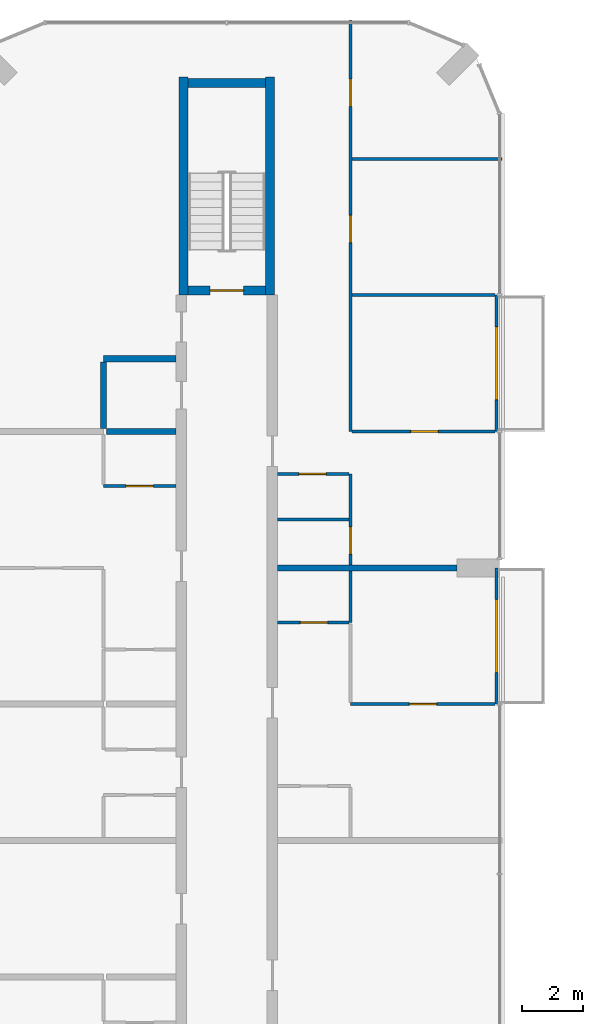
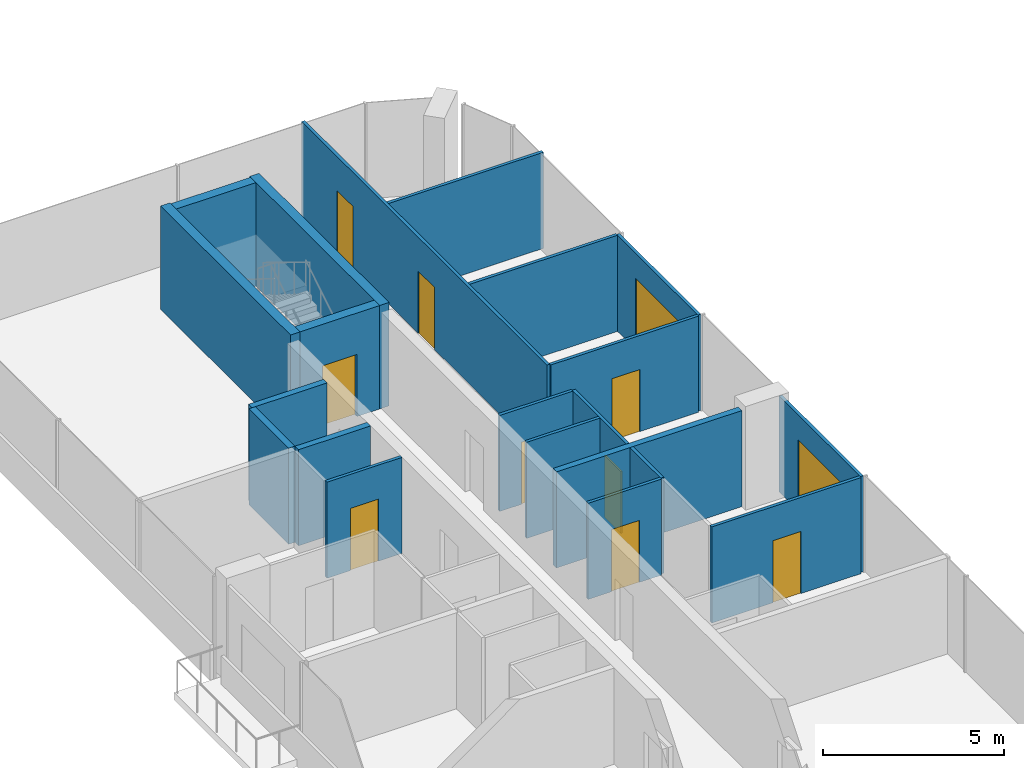
# One storey, part 16 of 22: 21 walls, 11 doors, 11 openings.
"""IFC4 building model written with IfcOpenShell, lengths in metres."""

from ifc_helpers import new_model, si_unit, direction, frame, frame_2d, origin, place, context, subcontext, project, spatial, rectangle, extrude, material, layer, layer_set, type_object, element, fill, save


model = new_model("IFC4")

# Units and contexts
model_context = context("Model", 3, precision=1e-05, world=origin(), true_north=direction((0.0, 1.0)))
body_context = subcontext(model_context, "Body", "Model", "MODEL_VIEW")
ifc_project = project(units=[si_unit("LENGTHUNIT", "METRE"), si_unit("AREAUNIT", "SQUARE_METRE"), si_unit("VOLUMEUNIT", "CUBIC_METRE"), si_unit("PLANEANGLEUNIT", "RADIAN"), si_unit("MASSUNIT", "GRAM", prefix="KILO")], contexts=[model_context])

# Site, building, storey
site_placement = place(None, origin())
site = spatial("IfcSite", under=ifc_project, at=site_placement, CompositionType="ELEMENT")
building_placement = place(site_placement, origin())
building = spatial("IfcBuilding", under=site, at=building_placement, Name="Plateau Cross Towers", CompositionType="ELEMENT")
storey_placement = place(building_placement, frame((0.0, 0.0, 65.300048828125)))
storey = spatial("IfcBuildingStorey", under=building, at=storey_placement, Name="L16", CompositionType="ELEMENT", Elevation=65.300048828125)

# Wall, opening, door
ifc_material_1 = material(Name="Aluminium framed glazing", Category="aluminium")
ifc_layer_1 = layer(ifc_material_1, 0.10009765625)
ifc_layer_set_1 = layer_set([ifc_layer_1], Name="Aluminium framed glazing")
wall_type_1 = type_object("IfcWallType", Name="Balcony screen wall 100", PredefinedType="STANDARD", material=ifc_layer_set_1)
wall_1_placement = place(storey_placement, frame((17.89990234375, 36.0, 0.0), z_axis=(0.0, 0.0, 1.0), x_axis=(0.0, -1.0, 0.0)))
wall_1 = element("IfcWall", 1, at=wall_1_placement, inside=storey, type_object=wall_type_1, Name="Balcony screen wall A-BAL-L16-02", PredefinedType="STANDARD", context=body_context, shape_type="SweptSolid", body=[
    extrude(rectangle(XDim=4.5, YDim=0.10009765625, at=frame_2d((2.25, 0.0))), origin(), (0.0, 0.0, 1.0), 3.25),
])
opening_1_placement = place(wall_1_placement, frame((1.050048828125, 0.0, 0.0)))
opening_1 = element("IfcOpeningElement", 2, at=opening_1_placement, cuts=wall_1, Name="Opening D-B24", PredefinedType="OPENING", context=body_context, shape_type="SweptSolid", body=[
    extrude(rectangle(XDim=2.39990234375, YDim=2.39990234375, at=frame_2d((1.199951171875, 1.199951171875))), frame((0.0, 0.06005859375, 0.0), z_axis=(0.0, -1.0, 0.0), x_axis=(1.0, 0.0, 0.0)), (0.0, 0.0, 1.0), 0.1201171875),
])
ifc_material_2 = material(Name="Aluminium frame, double glazing", Category="aluminium")
door_type_1 = type_object("IfcDoorType", Name="Balcony sliding door 2400", OperationType="NOTDEFINED", PredefinedType="DOOR", material=ifc_material_2)
door_1_placement = place(opening_1_placement, origin())
door_1 = element("IfcDoor", 3, at=door_1_placement, inside=storey, type_object=door_type_1, Name="Balcony door A-BAL-L16-02", OperationType="SINGLE_SWING_LEFT", OverallHeight=2.39990234375, OverallWidth=2.39990234375, PredefinedType="DOOR", context=body_context, shape_type="SweptSolid", body=[
    extrude(rectangle(XDim=2.39990234375, YDim=2.39990234375, at=frame_2d((1.199951171875, 1.199951171875))), frame((0.0, 0.02490234375, 0.0), z_axis=(0.0, -1.0, 0.0), x_axis=(1.0, 0.0, 0.0)), (0.0, 0.0, 1.0), 0.050048828125),
])
fill(opening_1, door_1)

wall_2_placement = place(storey_placement, frame((17.89990234375, 45.0, 0.0), z_axis=(0.0, 0.0, 1.0), x_axis=(0.0, -1.0, 0.0)))
wall_2 = element("IfcWall", 4, at=wall_2_placement, inside=storey, type_object=wall_type_1, Name="Balcony screen wall A-BAL-L16-03", PredefinedType="STANDARD", context=body_context, shape_type="SweptSolid", body=[
    extrude(rectangle(XDim=4.5, YDim=0.10009765625, at=frame_2d((2.25, 0.0))), origin(), (0.0, 0.0, 1.0), 3.25),
])
opening_2_placement = place(wall_2_placement, frame((1.050048828125, 0.0, 0.0)))
opening_2 = element("IfcOpeningElement", 5, at=opening_2_placement, cuts=wall_2, Name="Opening D-B24", PredefinedType="OPENING", context=body_context, shape_type="SweptSolid", body=[
    extrude(rectangle(XDim=2.39990234375, YDim=2.39990234375, at=frame_2d((1.199951171875, 1.199951171875))), frame((0.0, 0.06005859375, 0.0), z_axis=(0.0, -1.0, 0.0), x_axis=(1.0, 0.0, 0.0)), (0.0, 0.0, 1.0), 0.1201171875),
])
door_2_placement = place(opening_2_placement, origin())
door_2 = element("IfcDoor", 6, at=door_2_placement, inside=storey, type_object=door_type_1, Name="Balcony door A-BAL-L16-03", OperationType="SINGLE_SWING_LEFT", OverallHeight=2.39990234375, OverallWidth=2.39990234375, PredefinedType="DOOR", context=body_context, shape_type="SweptSolid", body=[
    extrude(rectangle(XDim=2.39990234375, YDim=2.39990234375, at=frame_2d((1.199951171875, 1.199951171875))), frame((0.0, 0.02490234375, 0.0), z_axis=(0.0, -1.0, 0.0), x_axis=(1.0, 0.0, 0.0)), (0.0, 0.0, 1.0), 0.050048828125),
])
fill(opening_2, door_2)

ifc_material_3 = material(Name="Gypsum board on steel studs", Category="steel")
ifc_layer_2 = layer(ifc_material_3, 0.10009765625)
ifc_layer_set_2 = layer_set([ifc_layer_2], Name="Gypsum board on steel studs")
wall_type_2 = type_object("IfcWallType", Name="Flat partition 100", PredefinedType="PARTITIONING", material=ifc_layer_set_2)
wall_3_placement = place(storey_placement, frame((13.074951171875, 31.5, 0.0), z_axis=(0.0, 0.0, 1.0), x_axis=(1.0, 0.0, 0.0)))
wall_3 = element("IfcWall", 7, at=wall_3_placement, inside=storey, type_object=wall_type_2, Name="Partition wall", PredefinedType="PARTITIONING", context=body_context, shape_type="SweptSolid", body=[
    extrude(rectangle(XDim=4.775146484375, YDim=0.10009765625, at=frame_2d((2.3876953125, 0.0))), origin(), (0.0, 0.0, 1.0), 3.25),
])
opening_3_placement = place(wall_3_placement, frame((1.949951171875, 0.0, 0.0)))
opening_3 = element("IfcOpeningElement", 8, at=opening_3_placement, cuts=wall_3, Name="Opening 16-38", PredefinedType="OPENING", context=body_context, shape_type="SweptSolid", body=[
    extrude(rectangle(XDim=0.89990234375, YDim=2.10009765625, at=frame_2d((0.449951171875, 1.050048828125))), frame((0.0, 0.06005859375, 0.0), z_axis=(0.0, -1.0, 0.0), x_axis=(1.0, 0.0, 0.0)), (0.0, 0.0, 1.0), 0.1201171875),
])
ifc_material_4 = material(Name="Timber leaf", Category="wood")
door_type_2 = type_object("IfcDoorType", Name="Flat room door 900", OperationType="NOTDEFINED", PredefinedType="DOOR", material=ifc_material_4)
door_3_placement = place(opening_3_placement, origin())
door_3 = element("IfcDoor", 9, at=door_3_placement, inside=storey, type_object=door_type_2, Name="Door 16-38", OperationType="SINGLE_SWING_RIGHT", OverallHeight=2.10009765625, OverallWidth=0.89990234375, PredefinedType="DOOR", context=body_context, shape_type="SweptSolid", body=[
    extrude(rectangle(XDim=0.89990234375, YDim=2.10009765625, at=frame_2d((0.449951171875, 1.050048828125))), frame((0.0, 0.02490234375, 0.0), z_axis=(0.0, -1.0, 0.0), x_axis=(1.0, 0.0, 0.0)), (0.0, 0.0, 1.0), 0.050048828125),
])
fill(opening_3, door_3)

wall_4_placement = place(storey_placement, frame((10.675048828125, 34.199951171875, 0.0), z_axis=(0.0, 0.0, 1.0), x_axis=(1.0, 0.0, 0.0)))
wall_4 = element("IfcWall", 10, at=wall_4_placement, inside=storey, type_object=wall_type_2, Name="Partition wall", PredefinedType="PARTITIONING", context=body_context, shape_type="SweptSolid", body=[
    extrude(rectangle(XDim=2.349853515625, YDim=0.10009765625, at=frame_2d((1.1748046875, 0.0))), origin(), (0.0, 0.0, 1.0), 3.25),
])
opening_4_placement = place(wall_4_placement, frame((0.75, 0.0, 0.0)))
opening_4 = element("IfcOpeningElement", 11, at=opening_4_placement, cuts=wall_4, Name="Opening 16-37", PredefinedType="OPENING", context=body_context, shape_type="SweptSolid", body=[
    extrude(rectangle(XDim=0.89990234375, YDim=2.10009765625, at=frame_2d((0.449951171875, 1.050048828125))), frame((0.0, 0.06005859375, 0.0), z_axis=(0.0, -1.0, 0.0), x_axis=(1.0, 0.0, 0.0)), (0.0, 0.0, 1.0), 0.1201171875),
])
door_4_placement = place(opening_4_placement, origin())
door_4 = element("IfcDoor", 12, at=door_4_placement, inside=storey, type_object=door_type_2, Name="Door 16-37", OperationType="SINGLE_SWING_RIGHT", OverallHeight=2.10009765625, OverallWidth=0.89990234375, PredefinedType="DOOR", context=body_context, shape_type="SweptSolid", body=[
    extrude(rectangle(XDim=0.89990234375, YDim=2.10009765625, at=frame_2d((0.449951171875, 1.050048828125))), frame((0.0, 0.02490234375, 0.0), z_axis=(0.0, -1.0, 0.0), x_axis=(1.0, 0.0, 0.0)), (0.0, 0.0, 1.0), 0.050048828125),
])
fill(opening_4, door_4)

# Wall
wall_5_placement = place(storey_placement, frame((13.02490234375, 37.60009765625, 0.0), z_axis=(0.0, 0.0, 1.0), x_axis=(-1.0, 0.0, 0.0)))
element("IfcWall", 13, at=wall_5_placement, inside=storey, type_object=wall_type_2, Name="Partition wall", PredefinedType="PARTITIONING", context=body_context, shape_type="SweptSolid", body=[
    extrude(rectangle(XDim=2.349853515625, YDim=0.10009765625, at=frame_2d((1.1748046875, 0.0))), origin(), (0.0, 0.0, 1.0), 3.25),
])

# Wall, opening, door
wall_6_placement = place(storey_placement, frame((4.925048828125, 38.699951171875, 0.0), z_axis=(0.0, 0.0, 1.0), x_axis=(1.0, 0.0, 0.0)))
wall_6 = element("IfcWall", 14, at=wall_6_placement, inside=storey, type_object=wall_type_2, Name="Partition wall", PredefinedType="PARTITIONING", context=body_context, shape_type="SweptSolid", body=[
    extrude(rectangle(XDim=2.39990234375, YDim=0.10009765625, at=frame_2d((1.199951171875, 0.0))), origin(), (0.0, 0.0, 1.0), 3.25),
])
opening_5_placement = place(wall_6_placement, frame((0.75, 0.0, 0.0)))
opening_5 = element("IfcOpeningElement", 15, at=opening_5_placement, cuts=wall_6, Name="Opening 16-34", PredefinedType="OPENING", context=body_context, shape_type="SweptSolid", body=[
    extrude(rectangle(XDim=0.89990234375, YDim=2.10009765625, at=frame_2d((0.449951171875, 1.050048828125))), frame((0.0, 0.06005859375, 0.0), z_axis=(0.0, -1.0, 0.0), x_axis=(1.0, 0.0, 0.0)), (0.0, 0.0, 1.0), 0.1201171875),
])
door_5_placement = place(opening_5_placement, origin())
door_5 = element("IfcDoor", 16, at=door_5_placement, inside=storey, type_object=door_type_2, Name="Door 16-34", OperationType="SINGLE_SWING_LEFT", OverallHeight=2.10009765625, OverallWidth=0.89990234375, PredefinedType="DOOR", context=body_context, shape_type="SweptSolid", body=[
    extrude(rectangle(XDim=0.89990234375, YDim=2.10009765625, at=frame_2d((0.449951171875, 1.050048828125))), frame((0.0, 0.02490234375, 0.0), z_axis=(0.0, -1.0, 0.0), x_axis=(1.0, 0.0, 0.0)), (0.0, 0.0, 1.0), 0.050048828125),
])
fill(opening_5, door_5)

wall_7_placement = place(storey_placement, frame((13.02490234375, 39.10009765625, 0.0), z_axis=(0.0, 0.0, 1.0), x_axis=(-1.0, 0.0, 0.0)))
wall_7 = element("IfcWall", 17, at=wall_7_placement, inside=storey, type_object=wall_type_2, Name="Partition wall", PredefinedType="PARTITIONING", context=body_context, shape_type="SweptSolid", body=[
    extrude(rectangle(XDim=2.349853515625, YDim=0.10009765625, at=frame_2d((1.1748046875, 0.0))), origin(), (0.0, 0.0, 1.0), 3.25),
])
opening_6_placement = place(wall_7_placement, frame((0.75, 0.0, 0.0)))
opening_6 = element("IfcOpeningElement", 18, at=opening_6_placement, cuts=wall_7, Name="Opening 16-40", PredefinedType="OPENING", context=body_context, shape_type="SweptSolid", body=[
    extrude(rectangle(XDim=0.89990234375, YDim=2.10009765625, at=frame_2d((0.449951171875, 1.050048828125))), frame((0.0, 0.06005859375, 0.0), z_axis=(0.0, -1.0, 0.0), x_axis=(1.0, 0.0, 0.0)), (0.0, 0.0, 1.0), 0.1201171875),
])
door_6_placement = place(opening_6_placement, origin())
door_6 = element("IfcDoor", 19, at=door_6_placement, inside=storey, type_object=door_type_2, Name="Door 16-40", OperationType="SINGLE_SWING_RIGHT", OverallHeight=2.10009765625, OverallWidth=0.89990234375, PredefinedType="DOOR", context=body_context, shape_type="SweptSolid", body=[
    extrude(rectangle(XDim=0.89990234375, YDim=2.10009765625, at=frame_2d((0.449951171875, 1.050048828125))), frame((0.0, 0.02490234375, 0.0), z_axis=(0.0, -1.0, 0.0), x_axis=(1.0, 0.0, 0.0)), (0.0, 0.0, 1.0), 0.050048828125),
])
fill(opening_6, door_6)

wall_8_placement = place(storey_placement, frame((13.125, 40.5, 0.0), z_axis=(0.0, 0.0, 1.0), x_axis=(1.0, 0.0, 0.0)))
wall_8 = element("IfcWall", 20, at=wall_8_placement, inside=storey, type_object=wall_type_2, Name="Partition wall", PredefinedType="PARTITIONING", context=body_context, shape_type="SweptSolid", body=[
    extrude(rectangle(XDim=4.72509765625, YDim=0.10009765625, at=frame_2d((2.362548828125, 0.0))), origin(), (0.0, 0.0, 1.0), 3.25),
])
opening_7_placement = place(wall_8_placement, frame((1.949951171875, 0.0, 0.0)))
opening_7 = element("IfcOpeningElement", 21, at=opening_7_placement, cuts=wall_8, Name="Opening 16-41", PredefinedType="OPENING", context=body_context, shape_type="SweptSolid", body=[
    extrude(rectangle(XDim=0.89990234375, YDim=2.10009765625, at=frame_2d((0.449951171875, 1.050048828125))), frame((0.0, 0.06005859375, 0.0), z_axis=(0.0, -1.0, 0.0), x_axis=(1.0, 0.0, 0.0)), (0.0, 0.0, 1.0), 0.1201171875),
])
door_7_placement = place(opening_7_placement, origin())
door_7 = element("IfcDoor", 22, at=door_7_placement, inside=storey, type_object=door_type_2, Name="Door 16-41", OperationType="SINGLE_SWING_RIGHT", OverallHeight=2.10009765625, OverallWidth=0.89990234375, PredefinedType="DOOR", context=body_context, shape_type="SweptSolid", body=[
    extrude(rectangle(XDim=0.89990234375, YDim=2.10009765625, at=frame_2d((0.449951171875, 1.050048828125))), frame((0.0, 0.02490234375, 0.0), z_axis=(0.0, -1.0, 0.0), x_axis=(1.0, 0.0, 0.0)), (0.0, 0.0, 1.0), 0.050048828125),
])
fill(opening_7, door_7)

# Walls
wall_9_placement = place(storey_placement, frame((17.85009765625, 45.0, 0.0), z_axis=(0.0, 0.0, 1.0), x_axis=(-1.0, 0.0, 0.0)))
element("IfcWall", 23, at=wall_9_placement, inside=storey, type_object=wall_type_2, Name="Partition wall", PredefinedType="PARTITIONING", context=body_context, shape_type="SweptSolid", body=[
    extrude(rectangle(XDim=4.72509765625, YDim=0.10009765625, at=frame_2d((2.362548828125, 0.0))), origin(), (0.0, 0.0, 1.0), 3.25),
])
wall_10_placement = place(storey_placement, frame((18.080078125, 49.5, 0.0), z_axis=(0.0, 0.0, 1.0), x_axis=(-1.0, 0.0, 0.0)))
element("IfcWall", 24, at=wall_10_placement, inside=storey, type_object=wall_type_2, Name="Partition wall", PredefinedType="PARTITIONING", context=body_context, shape_type="SweptSolid", body=[
    extrude(rectangle(XDim=4.955078125, YDim=0.10009765625, at=frame_2d((2.4775390625, 0.0))), origin(), (0.0, 0.0, 1.0), 3.25),
])

# Wall, openings, doors
wall_11_placement = place(storey_placement, frame((13.074951171875, 54.080078125, 0.0), z_axis=(0.0, 0.0, 1.0), x_axis=(0.0, -1.0, 0.0)))
wall_11 = element("IfcWall", 25, at=wall_11_placement, inside=storey, type_object=wall_type_2, Name="Partition wall", PredefinedType="PARTITIONING", context=body_context, shape_type="SweptSolid", body=[
    extrude(rectangle(XDim=13.580078125, YDim=0.10009765625, at=frame_2d((6.7900390625, 0.0))), origin(), (0.0, 0.0, 1.0), 3.25),
])
opening_8_placement = place(wall_11_placement, frame((6.449951171875, 0.0, 0.0)))
opening_8 = element("IfcOpeningElement", 26, at=opening_8_placement, cuts=wall_11, Name="Opening 16-42", PredefinedType="OPENING", context=body_context, shape_type="SweptSolid", body=[
    extrude(rectangle(XDim=0.89990234375, YDim=2.10009765625, at=frame_2d((0.449951171875, 1.050048828125))), frame((0.0, 0.06005859375, 0.0), z_axis=(0.0, -1.0, 0.0), x_axis=(1.0, 0.0, 0.0)), (0.0, 0.0, 1.0), 0.1201171875),
])
opening_9_placement = place(wall_11_placement, frame((1.949951171875, 0.0, 0.0)))
opening_9 = element("IfcOpeningElement", 27, at=opening_9_placement, cuts=wall_11, Name="Opening 16-43", PredefinedType="OPENING", context=body_context, shape_type="SweptSolid", body=[
    extrude(rectangle(XDim=0.89990234375, YDim=2.10009765625, at=frame_2d((0.449951171875, 1.050048828125))), frame((0.0, 0.06005859375, 0.0), z_axis=(0.0, -1.0, 0.0), x_axis=(1.0, 0.0, 0.0)), (0.0, 0.0, 1.0), 0.1201171875),
])
door_8_placement = place(opening_8_placement, origin())
door_8 = element("IfcDoor", 28, at=door_8_placement, inside=storey, type_object=door_type_2, Name="Door 16-42", OperationType="SINGLE_SWING_RIGHT", OverallHeight=2.10009765625, OverallWidth=0.89990234375, PredefinedType="DOOR", context=body_context, shape_type="SweptSolid", body=[
    extrude(rectangle(XDim=0.89990234375, YDim=2.10009765625, at=frame_2d((0.449951171875, 1.050048828125))), frame((0.0, 0.02490234375, 0.0), z_axis=(0.0, -1.0, 0.0), x_axis=(1.0, 0.0, 0.0)), (0.0, 0.0, 1.0), 0.050048828125),
])
fill(opening_8, door_8)
door_9_placement = place(opening_9_placement, origin())
door_9 = element("IfcDoor", 29, at=door_9_placement, inside=storey, type_object=door_type_2, Name="Door 16-43", OperationType="SINGLE_SWING_LEFT", OverallHeight=2.10009765625, OverallWidth=0.89990234375, PredefinedType="DOOR", context=body_context, shape_type="SweptSolid", body=[
    extrude(rectangle(XDim=0.89990234375, YDim=2.10009765625, at=frame_2d((0.449951171875, 1.050048828125))), frame((0.0, 0.02490234375, 0.0), z_axis=(0.0, -1.0, 0.0), x_axis=(1.0, 0.0, 0.0)), (0.0, 0.0, 1.0), 0.050048828125),
])
fill(opening_9, door_9)

# Wall
wall_12_placement = place(storey_placement, frame((13.074951171875, 34.199951171875, 0.0), z_axis=(0.0, 0.0, 1.0), x_axis=(0.0, 1.0, 0.0)))
element("IfcWall", 30, at=wall_12_placement, inside=storey, type_object=wall_type_2, Name="Partition wall", PredefinedType="PARTITIONING", context=body_context, shape_type="SweptSolid", body=[
    extrude(rectangle(XDim=1.699951171875, YDim=0.10009765625, at=frame_2d((0.85009765625, 0.0))), origin(), (0.0, 0.0, 1.0), 3.25),
])

# Wall, opening, door
wall_13_placement = place(storey_placement, frame((13.074951171875, 36.10009765625, 0.0), z_axis=(0.0, 0.0, 1.0), x_axis=(0.0, 1.0, 0.0)))
wall_13 = element("IfcWall", 31, at=wall_13_placement, inside=storey, type_object=wall_type_2, Name="Partition wall", PredefinedType="PARTITIONING", context=body_context, shape_type="SweptSolid", body=[
    extrude(rectangle(XDim=3.0, YDim=0.10009765625, at=frame_2d((1.5, 0.0))), origin(), (0.0, 0.0, 1.0), 3.25),
])
opening_10_placement = place(wall_13_placement, frame((0.35009765625, 0.0, 0.0)))
opening_10 = element("IfcOpeningElement", 32, at=opening_10_placement, cuts=wall_13, Name="Opening 16-39", PredefinedType="OPENING", context=body_context, shape_type="SweptSolid", body=[
    extrude(rectangle(XDim=0.89990234375, YDim=2.10009765625, at=frame_2d((0.449951171875, 1.050048828125))), frame((0.0, 0.06005859375, 0.0), z_axis=(0.0, -1.0, 0.0), x_axis=(1.0, 0.0, 0.0)), (0.0, 0.0, 1.0), 0.1201171875),
])
door_10_placement = place(opening_10_placement, origin())
door_10 = element("IfcDoor", 33, at=door_10_placement, inside=storey, type_object=door_type_2, Name="Door 16-39", OperationType="SINGLE_SWING_LEFT", OverallHeight=2.10009765625, OverallWidth=0.89990234375, PredefinedType="DOOR", context=body_context, shape_type="SweptSolid", body=[
    extrude(rectangle(XDim=0.89990234375, YDim=2.10009765625, at=frame_2d((0.449951171875, 1.050048828125))), frame((0.0, 0.02490234375, 0.0), z_axis=(0.0, -1.0, 0.0), x_axis=(1.0, 0.0, 0.0)), (0.0, 0.0, 1.0), 0.050048828125),
])
fill(opening_10, door_10)

# Walls
ifc_material_5 = material(Name="Gypsum board on steel studs, two layers each side", Category="steel")
ifc_layer_3 = layer(ifc_material_5, 0.199951171875)
ifc_layer_set_3 = layer_set([ifc_layer_3], Name="Gypsum board on steel studs, two layers each side")
wall_type_3 = type_object("IfcWallType", Name="Flat party wall 200", PredefinedType="PARTITIONING", material=ifc_layer_set_3)
wall_14_placement = place(storey_placement, frame((16.60009765625, 36.0, 0.0), z_axis=(0.0, 0.0, 1.0), x_axis=(-1.0, 0.0, 0.0)))
element("IfcWall", 34, at=wall_14_placement, inside=storey, type_object=wall_type_3, Name="Party wall", PredefinedType="PARTITIONING", context=body_context, shape_type="SweptSolid", body=[
    extrude(rectangle(XDim=5.925048828125, YDim=0.199951171875, at=frame_2d((2.96240234375, 0.0))), origin(), (0.0, 0.0, 1.0), 3.25),
])
wall_15_placement = place(storey_placement, frame((7.324951171875, 40.5, 0.0), z_axis=(0.0, 0.0, 1.0), x_axis=(-1.0, 0.0, 0.0)))
element("IfcWall", 35, at=wall_15_placement, inside=storey, type_object=wall_type_3, Name="Party wall", PredefinedType="PARTITIONING", context=body_context, shape_type="SweptSolid", body=[
    extrude(rectangle(XDim=2.300048828125, YDim=0.199951171875, at=frame_2d((1.14990234375, 0.0))), origin(), (0.0, 0.0, 1.0), 3.25),
])
wall_16_placement = place(storey_placement, frame((7.324951171875, 42.89990234375, 0.0), z_axis=(0.0, 0.0, 1.0), x_axis=(-1.0, 0.0, 0.0)))
element("IfcWall", 36, at=wall_16_placement, inside=storey, type_object=wall_type_3, Name="Party wall", PredefinedType="PARTITIONING", context=body_context, shape_type="SweptSolid", body=[
    extrude(rectangle(XDim=2.39990234375, YDim=0.199951171875, at=frame_2d((1.199951171875, 0.0))), origin(), (0.0, 0.0, 1.0), 3.25),
])
wall_17_placement = place(storey_placement, frame((4.925048828125, 42.800048828125, 0.0), z_axis=(0.0, 0.0, 1.0), x_axis=(0.0, -1.0, 0.0)))
element("IfcWall", 37, at=wall_17_placement, inside=storey, type_object=wall_type_3, Name="Party wall", PredefinedType="PARTITIONING", context=body_context, shape_type="SweptSolid", body=[
    extrude(rectangle(XDim=2.199951171875, YDim=0.199951171875, at=frame_2d((1.10009765625, 0.0))), origin(), (0.0, 0.0, 1.0), 3.25),
])

# Wall, opening, door
ifc_material_6 = material(Name="Concrete C60/75", Category="concrete")
ifc_layer_4 = layer(ifc_material_6, 0.300048828125)
ifc_layer_set_4 = layer_set([ifc_layer_4], Name="Concrete C60/75")
wall_type_4 = type_object("IfcWallType", Name="Stair tower wall 300", PredefinedType="SHEAR", material=ifc_layer_set_4)
wall_18_placement = place(storey_placement, frame((7.72509765625, 45.14990234375, 0.0), z_axis=(0.0, 0.0, 1.0), x_axis=(1.0, 0.0, 0.0)))
wall_18 = element("IfcWall", 38, at=wall_18_placement, inside=storey, type_object=wall_type_4, Name="A-end-N-S@L16", PredefinedType="SHEAR", context=body_context, shape_type="SweptSolid", body=[
    extrude(rectangle(XDim=2.5498046875, YDim=0.300048828125, at=frame_2d((1.27490234375, 0.0))), origin(), (0.0, 0.0, 1.0), 3.5),
])
opening_11_placement = place(wall_18_placement, frame((0.72509765625, 0.0, 0.0)))
opening_11 = element("IfcOpeningElement", 39, at=opening_11_placement, cuts=wall_18, Name="Opening SD", PredefinedType="OPENING", context=body_context, shape_type="SweptSolid", body=[
    extrude(rectangle(XDim=1.10009765625, YDim=2.10009765625, at=frame_2d((0.550048828125, 1.050048828125))), frame((0.0, 0.159912109375, 0.0), z_axis=(0.0, -1.0, 0.0), x_axis=(1.0, 0.0, 0.0)), (0.0, 0.0, 1.0), 0.320068359375),
])
ifc_material_7 = material(Name="Steel, fire-resisting leaf", Category="steel")
door_type_3 = type_object("IfcDoorType", Name="Stair door 1100", OperationType="NOTDEFINED", PredefinedType="DOOR", material=ifc_material_7)
door_11_placement = place(opening_11_placement, origin())
door_11 = element("IfcDoor", 40, at=door_11_placement, inside=storey, type_object=door_type_3, Name="Stair door SD", OperationType="SINGLE_SWING_LEFT", OverallHeight=2.10009765625, OverallWidth=1.10009765625, PredefinedType="DOOR", context=body_context, shape_type="SweptSolid", body=[
    extrude(rectangle(XDim=1.10009765625, YDim=2.10009765625, at=frame_2d((0.550048828125, 1.050048828125))), frame((0.0, 0.02490234375, 0.0), z_axis=(0.0, -1.0, 0.0), x_axis=(1.0, 0.0, 0.0)), (0.0, 0.0, 1.0), 0.050048828125),
])
fill(opening_11, door_11)

# Walls
wall_19_placement = place(storey_placement, frame((7.72509765625, 52.0, 0.0), z_axis=(0.0, 0.0, 1.0), x_axis=(1.0, 0.0, 0.0)))
element("IfcWall", 41, at=wall_19_placement, inside=storey, type_object=wall_type_4, Name="A-end-N-N@L16", PredefinedType="SHEAR", context=body_context, shape_type="SweptSolid", body=[
    extrude(rectangle(XDim=2.5498046875, YDim=0.300048828125, at=frame_2d((1.27490234375, 0.0))), origin(), (0.0, 0.0, 1.0), 3.5),
])
for number, where, z_axis, x_axis, name in (
    (42, (7.574951171875, 45.0, 0.0), (0.0, 0.0, 1.0), (0.0, 1.0, 0.0), "A-end-N-W@L16"),
    (43, (10.425048828125, 45.0, 0.0), (0.0, 0.0, 1.0), (0.0, 1.0, 0.0), "A-end-N-E@L16"),
):
    element("IfcWall", number, at=place(storey_placement, frame(where, z_axis=z_axis, x_axis=x_axis)), inside=storey, type_object=wall_type_4, Name=name, PredefinedType="SHEAR", context=body_context, shape_type="SweptSolid", body=[
        extrude(rectangle(XDim=7.199951171875, YDim=0.300048828125, at=frame_2d((3.60009765625, 0.0))), origin(), (0.0, 0.0, 1.0), 3.5),
    ])

save(model, "model.ifc")
